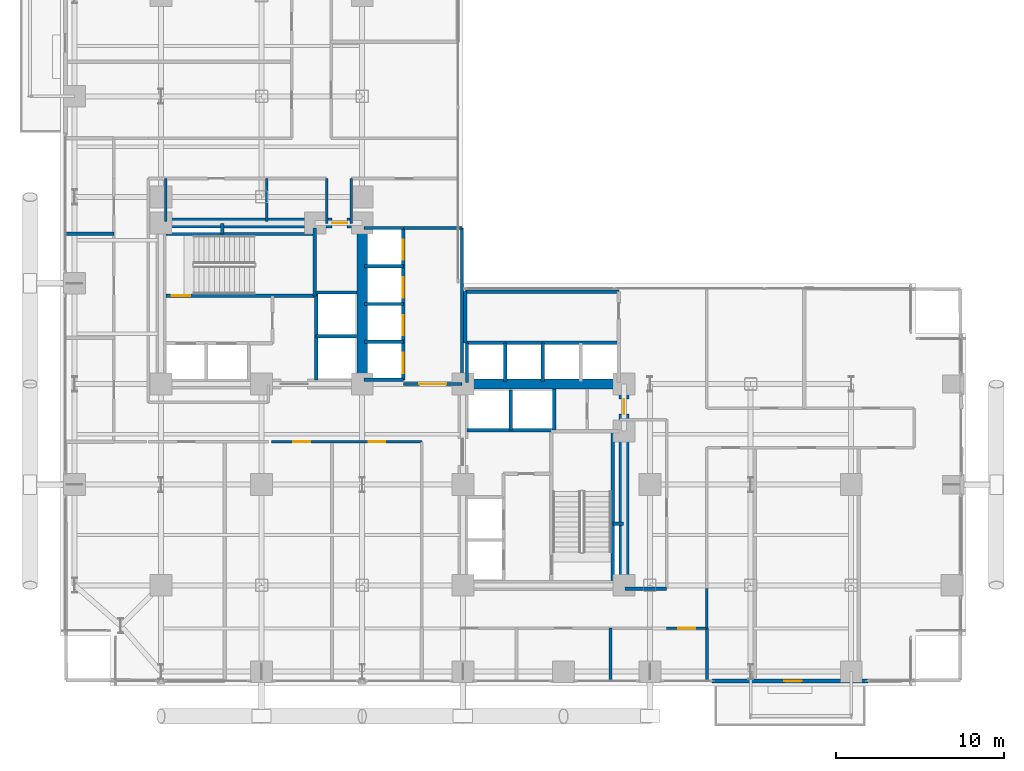
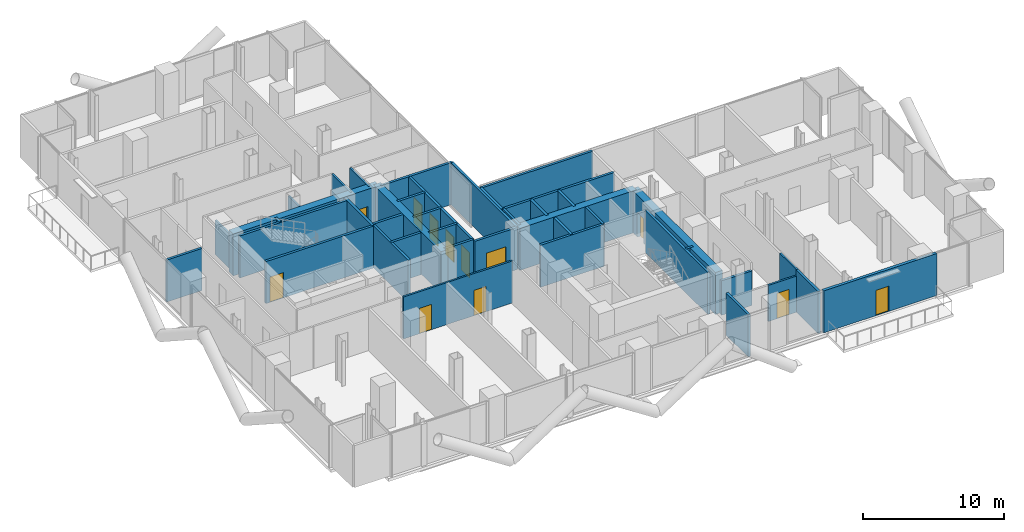
# One storey, part 22 of 27: 43 walls, 12 doors, 12 openings.
"""IFC4 building model written with IfcOpenShell, lengths in metres."""

from ifc_helpers import new_model, si_unit, direction, frame, frame_2d, origin, place, context, subcontext, project, spatial, rectangle, extrude, material, layer, layer_set, type_object, element, fill, save


model = new_model("IFC4")

# Units and contexts
model_context = context("Model", 3, precision=1e-05, world=origin(), true_north=direction((0.0, 1.0)))
body_context = subcontext(model_context, "Body", "Model", "MODEL_VIEW")
ifc_project = project(units=[si_unit("LENGTHUNIT", "METRE"), si_unit("AREAUNIT", "SQUARE_METRE"), si_unit("VOLUMEUNIT", "CUBIC_METRE"), si_unit("PLANEANGLEUNIT", "RADIAN"), si_unit("MASSUNIT", "GRAM", prefix="KILO"), si_unit("THERMODYNAMICTEMPERATUREUNIT", "KELVIN"), si_unit("POWERUNIT", "WATT")], contexts=[model_context])

# Site, building, storey
site_placement = place(None, origin())
site = spatial("IfcSite", under=ifc_project, at=site_placement, CompositionType="ELEMENT")
building_placement = place(site_placement, origin())
building = spatial("IfcBuilding", under=site, at=building_placement, Name="Svarakhadi Broadcast Tower", CompositionType="ELEMENT")
storey_placement = place(building_placement, frame((0.0, 0.0, 75.300048828125)))
storey = spatial("IfcBuildingStorey", under=building, at=storey_placement, Name="L17", CompositionType="ELEMENT", Elevation=75.300048828125)

# Walls
ifc_material_1 = material(Name="Double-Stud Acoustic Studio Partition STC-62", Category="gypsum")
ifc_layer_1 = layer(ifc_material_1, 0.199951171875)
ifc_layer_set_1 = layer_set([ifc_layer_1], Name="Double-Stud Acoustic Studio Partition STC-62")
wall_type_1 = type_object("IfcWallType", Name="Wall_Acoust_200", PredefinedType="PARTITIONING", material=ifc_layer_set_1)
wall_1_placement = place(storey_placement, frame((0.300048828125, 26.949951171875, 0.0), z_axis=(0.0, 0.0, 1.0), x_axis=(1.0, 0.0, 0.0)))
element("IfcWall", 1, at=wall_1_placement, inside=storey, type_object=wall_type_1, Name="L17 Live Translation Studio Wall", PredefinedType="PARTITIONING", context=body_context, shape_type="SweptSolid", body=[
    extrude(rectangle(XDim=2.89990234375, YDim=0.199951171875, at=frame_2d((1.449951171875, 0.0))), origin(), (0.0, 0.0, 1.0), 3.64990234375),
])
for number, where, z_axis, x_axis, name in (
    (2, (32.800048828125, 0.300048828125, 0.0), (0.0, 0.0, 1.0), (0.0, 1.0, 0.0), "L17 Media Legal Review Office Wall"),
    (3, (38.550048828125, 0.300048828125, 0.0), (0.0, 0.0, 1.0), (0.0, 1.0, 0.0), "L17 Broadcast Staff Refreshment Pantry Wall"),
):
    element("IfcWall", number, at=place(storey_placement, frame(where, z_axis=z_axis, x_axis=x_axis)), inside=storey, type_object=wall_type_1, Name=name, PredefinedType="PARTITIONING", context=body_context, shape_type="SweptSolid", body=[
        extrude(rectangle(XDim=3.14990234375, YDim=0.199951171875, at=frame_2d((1.574951171875, 0.0))), origin(), (0.0, 0.0, 1.0), 3.64990234375),
    ])
wall_2_placement = place(storey_placement, frame((33.64990234375, 5.800048828125, 0.0), z_axis=(0.0, 0.0, 1.0), x_axis=(1.0, 0.0, 0.0)))
element("IfcWall", 4, at=wall_2_placement, inside=storey, type_object=wall_type_1, Name="L17 Live Feed Monitoring Studio Wall", PredefinedType="PARTITIONING", context=body_context, shape_type="SweptSolid", body=[
    extrude(rectangle(XDim=2.5, YDim=0.199951171875, at=frame_2d((1.25, 0.0))), origin(), (0.0, 0.0, 1.0), 2.991943359375),
])

# Wall, opening, door
ifc_material_2 = material(Name="Concrete C40/50 (IS 456 M50)", Category="concrete")
ifc_layer_2 = layer(ifc_material_2, 0.239990234375)
ifc_layer_set_2 = layer_set([ifc_layer_2], Name="Concrete C40/50 (IS 456 M50)")
wall_type_2 = type_object("IfcWallType", Name="Wall_Ext_240", PredefinedType="SOLIDWALL", material=ifc_layer_set_2)
wall_3_placement = place(storey_placement, frame((48.14501953125, 0.300048828125, 0.0), z_axis=(0.0, 0.0, 1.0), x_axis=(-1.0, 0.0, 0.0)))
wall_3 = element("IfcWall", 5, at=wall_3_placement, inside=storey, type_object=wall_type_2, Name="L17 South Tree Balcony Spandrel Wall", PredefinedType="SOLIDWALL", context=body_context, shape_type="SweptSolid", body=[
    extrude(rectangle(XDim=9.2900390625, YDim=0.239990234375, at=frame_2d((4.64501953125, 0.0))), origin(), (0.0, 0.0, 1.0), 3.64990234375),
])
opening_1_placement = place(wall_3_placement, frame((3.945068359375, 0.0, 0.0)))
opening_1 = element("IfcOpeningElement", 6, at=opening_1_placement, cuts=wall_3, Name="Opening ED-05", PredefinedType="OPENING", context=body_context, shape_type="SweptSolid", body=[
    extrude(rectangle(XDim=1.050048828125, YDim=2.199951171875, at=frame_2d((0.52490234375, 1.10009765625))), frame((0.0, 0.1298828125, 0.0), z_axis=(0.0, -1.0, 0.0), x_axis=(1.0, 0.0, 0.0)), (0.0, 0.0, 1.0), 0.260009765625),
])
ifc_material_3 = material(Name="Anodised Bronze Aluminium AA 6063-T6", Category="aluminium")
door_type_1 = type_object("IfcDoorType", Name="Door_Ext_ED05", OperationType="SINGLE_SWING_LEFT", PredefinedType="DOOR", material=ifc_material_3)
door_1_placement = place(opening_1_placement, origin())
door_1 = element("IfcDoor", 7, at=door_1_placement, inside=storey, type_object=door_type_1, Name="L17 South Tree Balcony Door", OperationType="SINGLE_SWING_LEFT", OverallHeight=2.199951171875, OverallWidth=1.050048828125, PredefinedType="DOOR", context=body_context, shape_type="SweptSolid", body=[
    extrude(rectangle(XDim=1.050048828125, YDim=2.199951171875, at=frame_2d((0.52490234375, 1.10009765625))), frame((0.0, 0.02490234375, 0.0), z_axis=(0.0, -1.0, 0.0), x_axis=(1.0, 0.0, 0.0)), (0.0, 0.0, 1.0), 0.050048828125),
])
fill(opening_1, door_1)

# Walls
ifc_layer_3 = layer(ifc_material_2, 0.199951171875)
ifc_layer_set_3 = layer_set([ifc_layer_3], Name="Concrete C40/50 (IS 456 M50)")
wall_type_3 = type_object("IfcWallType", Name="Wall_Fire_200", PredefinedType="SOLIDWALL", material=ifc_layer_set_3)
for number, where, z_axis, x_axis, name in (
    (8, (9.659912109375, 26.93994140625, 0.0), (0.0, 0.0, 1.0), (0.0, 1.0, 0.0), "L17 Wet Riser Shaft East Wall"),
    (9, (32.93994140625, 9.659912109375, 0.0), (0.0, 0.0, 1.0), (1.0, 0.0, 0.0), "L17 HV Busduct Riser Shaft North Wall"),
):
    element("IfcWall", number, at=place(storey_placement, frame(where, z_axis=z_axis, x_axis=x_axis)), inside=storey, type_object=wall_type_3, Name=name, PredefinedType="SOLIDWALL", context=body_context, shape_type="SweptSolid", body=[
        extrude(rectangle(XDim=0.64013671875, YDim=0.199951171875, at=frame_2d((0.320068359375, 0.0))), origin(), (0.0, 0.0, 1.0), 3.64990234375),
    ])
ifc_material_4 = material(Name="Autoclaved Aerated Concrete Blockwork 150 mm", Category="masonry")
ifc_layer_4 = layer(ifc_material_4, 0.14990234375)
ifc_layer_set_4 = layer_set([ifc_layer_4], Name="Autoclaved Aerated Concrete Blockwork 150 mm")
wall_type_4 = type_object("IfcWallType", Name="Wall_Part_150", PredefinedType="PARTITIONING", material=ifc_layer_set_4)
wall_4_placement = place(storey_placement, frame((38.550048828125, 5.800048828125, 0.0), z_axis=(0.0, 0.0, 1.0), x_axis=(0.0, -1.0, 0.0)))
element("IfcWall", 10, at=wall_4_placement, inside=storey, type_object=wall_type_4, Name="L17 Broadcast Corridor Wall", PredefinedType="PARTITIONING", context=body_context, shape_type="SweptSolid", body=[
    extrude(rectangle(XDim=2.35009765625, YDim=0.14990234375, at=frame_2d((1.175048828125, 0.0))), origin(), (0.0, 0.0, 1.0), 3.64990234375),
])

# Wall, opening, door
wall_5_placement = place(storey_placement, frame((38.550048828125, 3.449951171875, 0.0), z_axis=(0.0, 0.0, 1.0), x_axis=(-1.0, 0.0, 0.0)))
wall_5 = element("IfcWall", 11, at=wall_5_placement, inside=storey, type_object=wall_type_4, Name="L17 Broadcast Corridor Wall", PredefinedType="PARTITIONING", context=body_context, shape_type="SweptSolid", body=[
    extrude(rectangle(XDim=2.400146484375, YDim=0.14990234375, at=frame_2d((1.2001953125, 0.0))), origin(), (0.0, 0.0, 1.0), 3.141845703125),
])
opening_2_placement = place(wall_5_placement, frame((0.699951171875, 0.0, 0.0)))
opening_2 = element("IfcOpeningElement", 12, at=opening_2_placement, cuts=wall_5, Name="Opening D-09", PredefinedType="OPENING", context=body_context, shape_type="SweptSolid", body=[
    extrude(rectangle(XDim=1.0, YDim=2.199951171875, at=frame_2d((0.5, 1.10009765625))), frame((0.0, 0.0849609375, 0.0), z_axis=(0.0, -1.0, 0.0), x_axis=(1.0, 0.0, 0.0)), (0.0, 0.0, 1.0), 0.169921875),
])
ifc_material_5 = material(Name="Solid-Core Teak Veneer Acoustic Timber Leaf", Category="wood")
door_type_2 = type_object("IfcDoorType", Name="Door_Suite_D09", OperationType="SINGLE_SWING_RIGHT", PredefinedType="DOOR", material=ifc_material_5)
door_2_placement = place(opening_2_placement, origin())
door_2 = element("IfcDoor", 13, at=door_2_placement, inside=storey, type_object=door_type_2, Name="L17 Broadcast Staff Refreshment Pantry Door", OperationType="SINGLE_SWING_RIGHT", OverallHeight=2.199951171875, OverallWidth=1.0, PredefinedType="DOOR", context=body_context, shape_type="SweptSolid", body=[
    extrude(rectangle(XDim=1.0, YDim=2.199951171875, at=frame_2d((0.5, 1.10009765625))), frame((0.0, 0.02490234375, 0.0), z_axis=(0.0, -1.0, 0.0), x_axis=(1.0, 0.0, 0.0)), (0.0, 0.0, 1.0), 0.050048828125),
])
fill(opening_2, door_2)

# Wall, openings, doors
wall_6_placement = place(storey_placement, frame((21.550048828125, 14.550048828125, 0.0), z_axis=(0.0, 0.0, 1.0), x_axis=(-1.0, 0.0, 0.0)))
wall_6 = element("IfcWall", 14, at=wall_6_placement, inside=storey, type_object=wall_type_4, Name="L17 Broadcast Corridor Wall", PredefinedType="PARTITIONING", context=body_context, shape_type="SweptSolid", body=[
    extrude(rectangle(XDim=8.949951171875, YDim=0.14990234375, at=frame_2d((4.47509765625, 0.0))), origin(), (0.0, 0.0, 1.0), 3.64990234375),
])
opening_3_placement = place(wall_6_placement, frame((6.64990234375, 0.0, 0.0)))
opening_3 = element("IfcOpeningElement", 15, at=opening_3_placement, cuts=wall_6, Name="Opening D-08", PredefinedType="OPENING", context=body_context, shape_type="SweptSolid", body=[
    extrude(rectangle(XDim=1.0, YDim=2.199951171875, at=frame_2d((0.5, 1.10009765625))), frame((0.0, 0.0849609375, 0.0), z_axis=(0.0, -1.0, 0.0), x_axis=(1.0, 0.0, 0.0)), (0.0, 0.0, 1.0), 0.169921875),
])
opening_4_placement = place(wall_6_placement, frame((2.175048828125, 0.0, 0.0)))
opening_4 = element("IfcOpeningElement", 16, at=opening_4_placement, cuts=wall_6, Name="Opening D-09", PredefinedType="OPENING", context=body_context, shape_type="SweptSolid", body=[
    extrude(rectangle(XDim=1.0, YDim=2.199951171875, at=frame_2d((0.5, 1.10009765625))), frame((0.0, 0.0849609375, 0.0), z_axis=(0.0, -1.0, 0.0), x_axis=(1.0, 0.0, 0.0)), (0.0, 0.0, 1.0), 0.169921875),
])
door_type_3 = type_object("IfcDoorType", Name="Door_Suite_D08", OperationType="SINGLE_SWING_LEFT", PredefinedType="DOOR", material=ifc_material_5)
door_3_placement = place(opening_3_placement, origin())
door_3 = element("IfcDoor", 17, at=door_3_placement, inside=storey, type_object=door_type_3, Name="L17 Central Commercial Catering Kitchen Door", OperationType="SINGLE_SWING_LEFT", OverallHeight=2.199951171875, OverallWidth=1.0, PredefinedType="DOOR", context=body_context, shape_type="SweptSolid", body=[
    extrude(rectangle(XDim=1.0, YDim=2.199951171875, at=frame_2d((0.5, 1.10009765625))), frame((0.0, 0.02490234375, 0.0), z_axis=(0.0, -1.0, 0.0), x_axis=(1.0, 0.0, 0.0)), (0.0, 0.0, 1.0), 0.050048828125),
])
fill(opening_3, door_3)
door_4_placement = place(opening_4_placement, origin())
door_4 = element("IfcDoor", 18, at=door_4_placement, inside=storey, type_object=door_type_2, Name="L17 Cold Larder Store Door", OperationType="SINGLE_SWING_RIGHT", OverallHeight=2.199951171875, OverallWidth=1.0, PredefinedType="DOOR", context=body_context, shape_type="SweptSolid", body=[
    extrude(rectangle(XDim=1.0, YDim=2.199951171875, at=frame_2d((0.5, 1.10009765625))), frame((0.0, 0.02490234375, 0.0), z_axis=(0.0, -1.0, 0.0), x_axis=(1.0, 0.0, 0.0)), (0.0, 0.0, 1.0), 0.050048828125),
])
fill(opening_4, door_4)

# Walls
for number, where, z_axis, x_axis, name in (
    (19, (17.35009765625, 30.25, 0.0), (0.0, 0.0, 1.0), (0.0, -1.0, 0.0), "L17 Broadcast Corridor Wall"),
    (20, (15.8798828125, 27.580078125, 0.0), (0.0, 0.0, 1.0), (0.0, 1.0, 0.0), "L17 Broadcast Corridor Wall"),
):
    element("IfcWall", number, at=place(storey_placement, frame(where, z_axis=z_axis, x_axis=x_axis)), inside=storey, type_object=wall_type_4, Name=name, PredefinedType="PARTITIONING", context=body_context, shape_type="SweptSolid", body=[
        extrude(rectangle(XDim=2.669921875, YDim=0.14990234375, at=frame_2d((1.3349609375, 0.0))), origin(), (0.0, 0.0, 1.0), 3.64990234375),
    ])
for number, where, z_axis, x_axis, name in (
    (21, (6.300048828125, 27.679931640625, 0.0), (0.0, 0.0, 1.0), (0.0, 1.0, 0.0), "L17 Accessible Toilet WC Wall"),
    (22, (12.300048828125, 27.679931640625, 0.0), (0.0, 0.0, 1.0), (0.0, 1.0, 0.0), "L17 Accessible Toilet WC Wall"),
):
    element("IfcWall", number, at=place(storey_placement, frame(where, z_axis=z_axis, x_axis=x_axis)), inside=storey, type_object=wall_type_4, Name=name, PredefinedType="PARTITIONING", context=body_context, shape_type="SweptSolid", body=[
        extrude(rectangle(XDim=2.570068359375, YDim=0.14990234375, at=frame_2d((1.28515625, 0.0))), origin(), (0.0, 0.0, 1.0), 2.991943359375),
    ])

# Wall, opening, door
ifc_material_6 = material(Name="Concrete C50/60 (IS 456 M60)", Category="concrete")
ifc_layer_5 = layer(ifc_material_6, 0.199951171875)
ifc_layer_set_5 = layer_set([ifc_layer_5], Name="Concrete C50/60 (IS 456 M60)")
wall_type_5 = type_object("IfcWallType", Name="Wall_Shear_200", PredefinedType="SHEAR", material=ifc_layer_set_5)
wall_7_placement = place(storey_placement, frame((6.300048828125, 23.260009765625, 0.0), z_axis=(0.0, 0.0, 1.0), x_axis=(1.0, 0.0, 0.0)))
wall_7 = element("IfcWall", 23, at=wall_7_placement, inside=storey, type_object=wall_type_5, Name="L17 Stair ST-01 South RC Shaft Wall", PredefinedType="SHEAR", context=body_context, shape_type="SweptSolid", body=[
    extrude(rectangle(XDim=8.8798828125, YDim=0.199951171875, at=frame_2d((4.43994140625, 0.0))), origin(), (0.0, 0.0, 1.0), 3.64990234375),
])
opening_5_placement = place(wall_7_placement, frame((0.35009765625, 0.0, 0.0)))
opening_5 = element("IfcOpeningElement", 24, at=opening_5_placement, cuts=wall_7, Name="Opening D-01", PredefinedType="OPENING", context=body_context, shape_type="SweptSolid", body=[
    extrude(rectangle(XDim=1.10009765625, YDim=2.199951171875, at=frame_2d((0.550048828125, 1.10009765625))), frame((0.0, 0.10986328125, 0.0), z_axis=(0.0, -1.0, 0.0), x_axis=(1.0, 0.0, 0.0)), (0.0, 0.0, 1.0), 0.219970703125),
])
ifc_material_7 = material(Name="Galvanised Powder-Coated Fire-Rated Steel Leaf", Category="steel")
door_type_4 = type_object("IfcDoorType", Name="Door_Stair_D01", OperationType="SINGLE_SWING_LEFT", PredefinedType="DOOR", material=ifc_material_7)
door_5_placement = place(opening_5_placement, origin())
door_5 = element("IfcDoor", 25, at=door_5_placement, inside=storey, type_object=door_type_4, Name="L17 Protected Exit Stair ST-01 Fire Door", OperationType="SINGLE_SWING_LEFT", OverallHeight=2.199951171875, OverallWidth=1.10009765625, PredefinedType="DOOR", context=body_context, shape_type="SweptSolid", body=[
    extrude(rectangle(XDim=1.10009765625, YDim=2.199951171875, at=frame_2d((0.550048828125, 1.10009765625))), frame((0.0, 0.02490234375, 0.0), z_axis=(0.0, -1.0, 0.0), x_axis=(1.0, 0.0, 0.0)), (0.0, 0.0, 1.0), 0.050048828125),
])
fill(opening_5, door_5)

# Walls
wall_8_placement = place(storey_placement, frame((6.300048828125, 26.93994140625, 0.0), z_axis=(0.0, 0.0, 1.0), x_axis=(1.0, 0.0, 0.0)))
element("IfcWall", 26, at=wall_8_placement, inside=storey, type_object=wall_type_5, Name="L17 Stair ST-01 North RC Shaft Wall", PredefinedType="SHEAR", context=body_context, shape_type="SweptSolid", body=[
    extrude(rectangle(XDim=8.8798828125, YDim=0.199951171875, at=frame_2d((4.43994140625, 0.0))), origin(), (0.0, 0.0, 1.0), 3.64990234375),
])
wall_9_placement = place(storey_placement, frame((15.179931640625, 23.260009765625, 0.0), z_axis=(0.0, 0.0, 1.0), x_axis=(0.0, 1.0, 0.0)))
element("IfcWall", 27, at=wall_9_placement, inside=storey, type_object=wall_type_5, Name="L17 Stair ST-01 East RC Shaft Wall", PredefinedType="SHEAR", context=body_context, shape_type="SweptSolid", body=[
    extrude(rectangle(XDim=4.0400390625, YDim=0.199951171875, at=frame_2d((2.02001953125, 0.0))), origin(), (0.0, 0.0, 1.0), 3.64990234375),
])
wall_10_placement = place(storey_placement, frame((32.93994140625, 6.300048828125, 0.0), z_axis=(0.0, 0.0, 1.0), x_axis=(0.0, 1.0, 0.0)))
element("IfcWall", 28, at=wall_10_placement, inside=storey, type_object=wall_type_5, Name="L17 Stair ST-02 East RC Shaft Wall", PredefinedType="SHEAR", context=body_context, shape_type="SweptSolid", body=[
    extrude(rectangle(XDim=8.8798828125, YDim=0.199951171875, at=frame_2d((4.43994140625, 0.0))), origin(), (0.0, 0.0, 1.0), 3.64990234375),
])
wall_11_placement = place(storey_placement, frame((15.25, 18.25, 0.0), z_axis=(0.0, 0.0, 1.0), x_axis=(0.0, 1.0, 0.0)))
element("IfcWall", 29, at=wall_11_placement, inside=storey, type_object=wall_type_5, Name="L17 High-Rise Lift LF-13/14 West Shaft Wall", PredefinedType="SHEAR", context=body_context, shape_type="SweptSolid", body=[
    extrude(rectangle(XDim=5.199951171875, YDim=0.199951171875, at=frame_2d((2.60009765625, 0.0))), origin(), (0.0, 0.0, 1.0), 3.64990234375),
])
wall_12_placement = place(storey_placement, frame((15.25, 20.85009765625, 0.0), z_axis=(0.0, 0.0, 1.0), x_axis=(1.0, 0.0, 0.0)))
element("IfcWall", 30, at=wall_12_placement, inside=storey, type_object=wall_type_5, Name="L17 High-Rise Lift LF-13/14 Divider", PredefinedType="SHEAR", context=body_context, shape_type="SweptSolid", body=[
    extrude(rectangle(XDim=2.39990234375, YDim=0.199951171875, at=frame_2d((1.199951171875, 0.0))), origin(), (0.0, 0.0, 1.0), 3.64990234375),
])
wall_13_placement = place(storey_placement, frame((15.25, 23.449951171875, 0.0), z_axis=(0.0, 0.0, 1.0), x_axis=(1.0, 0.0, 0.0)))
element("IfcWall", 31, at=wall_13_placement, inside=storey, type_object=wall_type_5, Name="L17 High-Rise Lift LF-13/14 North Wall", PredefinedType="SHEAR", context=body_context, shape_type="SweptSolid", body=[
    extrude(rectangle(XDim=2.449951171875, YDim=0.199951171875, at=frame_2d((1.22509765625, 0.0))), origin(), (0.0, 0.0, 1.0), 3.64990234375),
])
wall_14_placement = place(storey_placement, frame((24.25, 15.25, 0.0), z_axis=(0.0, 0.0, 1.0), x_axis=(1.0, 0.0, 0.0)))
element("IfcWall", 32, at=wall_14_placement, inside=storey, type_object=wall_type_5, Name="L17 High-Rise Lift LF-15/16 South Shaft Wall", PredefinedType="SHEAR", context=body_context, shape_type="SweptSolid", body=[
    extrude(rectangle(XDim=5.199951171875, YDim=0.199951171875, at=frame_2d((2.60009765625, 0.0))), origin(), (0.0, 0.0, 1.0), 3.64990234375),
])
wall_15_placement = place(storey_placement, frame((26.85009765625, 15.25, 0.0), z_axis=(0.0, 0.0, 1.0), x_axis=(0.0, 1.0, 0.0)))
element("IfcWall", 33, at=wall_15_placement, inside=storey, type_object=wall_type_5, Name="L17 High-Rise Lift LF-15/16 Divider", PredefinedType="SHEAR", context=body_context, shape_type="SweptSolid", body=[
    extrude(rectangle(XDim=2.39990234375, YDim=0.199951171875, at=frame_2d((1.199951171875, 0.0))), origin(), (0.0, 0.0, 1.0), 3.64990234375),
])
wall_16_placement = place(storey_placement, frame((29.449951171875, 15.25, 0.0), z_axis=(0.0, 0.0, 1.0), x_axis=(0.0, 1.0, 0.0)))
element("IfcWall", 34, at=wall_16_placement, inside=storey, type_object=wall_type_5, Name="L17 High-Rise Lift LF-15/16 East Wall", PredefinedType="SHEAR", context=body_context, shape_type="SweptSolid", body=[
    extrude(rectangle(XDim=2.449951171875, YDim=0.199951171875, at=frame_2d((1.22509765625, 0.0))), origin(), (0.0, 0.0, 1.0), 3.64990234375),
])
for number, where, z_axis, x_axis, name in (
    (35, (18.10009765625, 27.300048828125, 0.0), (0.0, 0.0, 1.0), (1.0, 0.0, 0.0), "L17 Bank A North Shaft Wall"),
    (36, (18.10009765625, 18.25, 0.0), (0.0, 0.0, 1.0), (1.0, 0.0, 0.0), "L17 Bank A South Shaft Wall"),
):
    element("IfcWall", number, at=place(storey_placement, frame(where, z_axis=z_axis, x_axis=x_axis)), inside=storey, type_object=wall_type_5, Name=name, PredefinedType="SHEAR", context=body_context, shape_type="SweptSolid", body=[
        extrude(rectangle(XDim=2.349853515625, YDim=0.199951171875, at=frame_2d((1.1748046875, 0.0))), origin(), (0.0, 0.0, 1.0), 3.64990234375),
    ])

# Wall, openings, doors
wall_17_placement = place(storey_placement, frame((20.449951171875, 18.25, 0.0), z_axis=(0.0, 0.0, 1.0), x_axis=(0.0, 1.0, 0.0)))
wall_17 = element("IfcWall", 37, at=wall_17_placement, inside=storey, type_object=wall_type_5, Name="L17 Bank A East Landing Wall", PredefinedType="SHEAR", context=body_context, shape_type="SweptSolid", body=[
    extrude(rectangle(XDim=9.050048828125, YDim=0.199951171875, at=frame_2d((4.52490234375, 0.0))), origin(), (0.0, 0.0, 1.0), 3.64990234375),
])
opening_6_placement = place(wall_17_placement, frame((0.39990234375, 0.0, 0.0)))
opening_6 = element("IfcOpeningElement", 38, at=opening_6_placement, cuts=wall_17, Name="Opening LD-02", PredefinedType="OPENING", context=body_context, shape_type="SweptSolid", body=[
    extrude(rectangle(XDim=1.199951171875, YDim=2.199951171875, at=frame_2d((0.60009765625, 1.10009765625))), frame((0.0, 0.10986328125, 0.0), z_axis=(0.0, -1.0, 0.0), x_axis=(1.0, 0.0, 0.0)), (0.0, 0.0, 1.0), 0.219970703125),
])
opening_7_placement = place(wall_17_placement, frame((2.64990234375, 0.0, 0.0)))
opening_7 = element("IfcOpeningElement", 39, at=opening_7_placement, cuts=wall_17, Name="Opening LD-02", PredefinedType="OPENING", context=body_context, shape_type="SweptSolid", body=[
    extrude(rectangle(XDim=1.199951171875, YDim=2.199951171875, at=frame_2d((0.60009765625, 1.10009765625))), frame((0.0, 0.10986328125, 0.0), z_axis=(0.0, -1.0, 0.0), x_axis=(1.0, 0.0, 0.0)), (0.0, 0.0, 1.0), 0.219970703125),
])
opening_8_placement = place(wall_17_placement, frame((4.89990234375, 0.0, 0.0)))
opening_8 = element("IfcOpeningElement", 40, at=opening_8_placement, cuts=wall_17, Name="Opening LD-02", PredefinedType="OPENING", context=body_context, shape_type="SweptSolid", body=[
    extrude(rectangle(XDim=1.199951171875, YDim=2.199951171875, at=frame_2d((0.60009765625, 1.10009765625))), frame((0.0, 0.10986328125, 0.0), z_axis=(0.0, -1.0, 0.0), x_axis=(1.0, 0.0, 0.0)), (0.0, 0.0, 1.0), 0.219970703125),
])
opening_9_placement = place(wall_17_placement, frame((7.14990234375, 0.0, 0.0)))
opening_9 = element("IfcOpeningElement", 41, at=opening_9_placement, cuts=wall_17, Name="Opening LD-02", PredefinedType="OPENING", context=body_context, shape_type="SweptSolid", body=[
    extrude(rectangle(XDim=1.199951171875, YDim=2.199951171875, at=frame_2d((0.60009765625, 1.10009765625))), frame((0.0, 0.10986328125, 0.0), z_axis=(0.0, -1.0, 0.0), x_axis=(1.0, 0.0, 0.0)), (0.0, 0.0, 1.0), 0.219970703125),
])
door_type_5 = type_object("IfcDoorType", Name="Door_Lift_LD02", OperationType="SLIDING_TO_RIGHT", PredefinedType="DOOR", material=ifc_material_7)
door_6_placement = place(opening_6_placement, origin())
door_6 = element("IfcDoor", 42, at=door_6_placement, inside=storey, type_object=door_type_5, Name="L17 Low-Rise Lift LF-05 Landing Door", OperationType="SLIDING_TO_RIGHT", OverallHeight=2.199951171875, OverallWidth=1.199951171875, PredefinedType="DOOR", context=body_context, shape_type="SweptSolid", body=[
    extrude(rectangle(XDim=1.199951171875, YDim=2.199951171875, at=frame_2d((0.60009765625, 1.10009765625))), frame((0.0, 0.02490234375, 0.0), z_axis=(0.0, -1.0, 0.0), x_axis=(1.0, 0.0, 0.0)), (0.0, 0.0, 1.0), 0.050048828125),
])
fill(opening_6, door_6)
door_7_placement = place(opening_7_placement, origin())
door_7 = element("IfcDoor", 43, at=door_7_placement, inside=storey, type_object=door_type_5, Name="L17 Low-Rise Lift LF-06 Landing Door", OperationType="SLIDING_TO_RIGHT", OverallHeight=2.199951171875, OverallWidth=1.199951171875, PredefinedType="DOOR", context=body_context, shape_type="SweptSolid", body=[
    extrude(rectangle(XDim=1.199951171875, YDim=2.199951171875, at=frame_2d((0.60009765625, 1.10009765625))), frame((0.0, 0.02490234375, 0.0), z_axis=(0.0, -1.0, 0.0), x_axis=(1.0, 0.0, 0.0)), (0.0, 0.0, 1.0), 0.050048828125),
])
fill(opening_7, door_7)
door_8_placement = place(opening_8_placement, origin())
door_8 = element("IfcDoor", 44, at=door_8_placement, inside=storey, type_object=door_type_5, Name="L17 Low-Rise Lift LF-07 Landing Door", OperationType="SLIDING_TO_RIGHT", OverallHeight=2.199951171875, OverallWidth=1.199951171875, PredefinedType="DOOR", context=body_context, shape_type="SweptSolid", body=[
    extrude(rectangle(XDim=1.199951171875, YDim=2.199951171875, at=frame_2d((0.60009765625, 1.10009765625))), frame((0.0, 0.02490234375, 0.0), z_axis=(0.0, -1.0, 0.0), x_axis=(1.0, 0.0, 0.0)), (0.0, 0.0, 1.0), 0.050048828125),
])
fill(opening_8, door_8)
door_9_placement = place(opening_9_placement, origin())
door_9 = element("IfcDoor", 45, at=door_9_placement, inside=storey, type_object=door_type_5, Name="L17 Low-Rise Lift LF-08 Landing Door", OperationType="SLIDING_TO_RIGHT", OverallHeight=2.199951171875, OverallWidth=1.199951171875, PredefinedType="DOOR", context=body_context, shape_type="SweptSolid", body=[
    extrude(rectangle(XDim=1.199951171875, YDim=2.199951171875, at=frame_2d((0.60009765625, 1.10009765625))), frame((0.0, 0.02490234375, 0.0), z_axis=(0.0, -1.0, 0.0), x_axis=(1.0, 0.0, 0.0)), (0.0, 0.0, 1.0), 0.050048828125),
])
fill(opening_9, door_9)

# Walls
for number, where, z_axis, x_axis, name in (
    (46, (18.14990234375, 20.52001953125, 0.0), (0.0, 0.0, 1.0), (1.0, 0.0, 0.0), "L17 Bank A Divider"),
    (47, (18.14990234375, 22.77001953125, 0.0), (0.0, 0.0, 1.0), (1.0, 0.0, 0.0), "L17 Bank A Divider"),
    (48, (18.14990234375, 25.02001953125, 0.0), (0.0, 0.0, 1.0), (1.0, 0.0, 0.0), "L17 Bank A Divider"),
):
    element("IfcWall", number, at=place(storey_placement, frame(where, z_axis=z_axis, x_axis=x_axis)), inside=storey, type_object=wall_type_5, Name=name, PredefinedType="SHEAR", context=body_context, shape_type="SweptSolid", body=[
        extrude(rectangle(XDim=2.300048828125, YDim=0.199951171875, at=frame_2d((1.14990234375, 0.0))), origin(), (0.0, 0.0, 1.0), 3.64990234375),
    ])

# Wall, opening, door
wall_18_placement = place(storey_placement, frame((20.449951171875, 18.0, 0.0), z_axis=(0.0, 0.0, 1.0), x_axis=(1.0, 0.0, 0.0)))
wall_18 = element("IfcWall", 49, at=wall_18_placement, inside=storey, type_object=wall_type_5, Name="L17 Bank A Lift Hall South Wall", PredefinedType="SHEAR", context=body_context, shape_type="SweptSolid", body=[
    extrude(rectangle(XDim=3.5, YDim=0.199951171875, at=frame_2d((1.75, 0.0))), origin(), (0.0, 0.0, 1.0), 3.64990234375),
])
opening_10_placement = place(wall_18_placement, frame((0.949951171875, 0.0, 0.0)))
opening_10 = element("IfcOpeningElement", 50, at=opening_10_placement, cuts=wall_18, Name="Opening D-05", PredefinedType="OPENING", context=body_context, shape_type="SweptSolid", body=[
    extrude(rectangle(XDim=1.60009765625, YDim=2.300048828125, at=frame_2d((0.800048828125, 1.14990234375))), frame((0.0, 0.10986328125, 0.0), z_axis=(0.0, -1.0, 0.0), x_axis=(1.0, 0.0, 0.0)), (0.0, 0.0, 1.0), 0.219970703125),
])
door_type_6 = type_object("IfcDoorType", Name="Door_Lobby_D05", OperationType="DOUBLE_DOOR_SLIDING", PredefinedType="DOOR", material=ifc_material_3)
door_10_placement = place(opening_10_placement, origin())
door_10 = element("IfcDoor", 51, at=door_10_placement, inside=storey, type_object=door_type_6, Name="L17 Low-Rise Lift Hall Corridor Door", OperationType="DOUBLE_DOOR_SLIDING", OverallHeight=2.300048828125, OverallWidth=1.60009765625, PredefinedType="DOOR", context=body_context, shape_type="SweptSolid", body=[
    extrude(rectangle(XDim=1.60009765625, YDim=2.300048828125, at=frame_2d((0.800048828125, 1.14990234375))), frame((0.0, 0.02490234375, 0.0), z_axis=(0.0, -1.0, 0.0), x_axis=(1.0, 0.0, 0.0)), (0.0, 0.0, 1.0), 0.050048828125),
])
fill(opening_10, door_10)

# Walls
wall_19_placement = place(storey_placement, frame((20.449951171875, 27.300048828125, 0.0), z_axis=(0.0, 0.0, 1.0), x_axis=(1.0, 0.0, 0.0)))
element("IfcWall", 52, at=wall_19_placement, inside=storey, type_object=wall_type_5, Name="L17 Bank A Lift Hall North Wall", PredefinedType="SHEAR", context=body_context, shape_type="SweptSolid", body=[
    extrude(rectangle(XDim=3.5, YDim=0.199951171875, at=frame_2d((1.75, 0.0))), origin(), (0.0, 0.0, 1.0), 3.64990234375),
])
wall_20_placement = place(storey_placement, frame((23.949951171875, 18.0, 0.0), z_axis=(0.0, 0.0, 1.0), x_axis=(0.0, 1.0, 0.0)))
element("IfcWall", 53, at=wall_20_placement, inside=storey, type_object=wall_type_5, Name="L17 Bank A Lift Hall East Wall", PredefinedType="SHEAR", context=body_context, shape_type="SweptSolid", body=[
    extrude(rectangle(XDim=9.300048828125, YDim=0.199951171875, at=frame_2d((4.64990234375, 0.0))), origin(), (0.0, 0.0, 1.0), 3.64990234375),
])
wall_21_placement = place(storey_placement, frame((24.25, 18.10009765625, 0.0), z_axis=(0.0, 0.0, 1.0), x_axis=(0.0, 1.0, 0.0)))
element("IfcWall", 54, at=wall_21_placement, inside=storey, type_object=wall_type_5, Name="L17 Bank B West Shaft Wall", PredefinedType="SHEAR", context=body_context, shape_type="SweptSolid", body=[
    extrude(rectangle(XDim=2.349853515625, YDim=0.199951171875, at=frame_2d((1.1748046875, 0.0))), origin(), (0.0, 0.0, 1.0), 3.64990234375),
])
wall_22_placement = place(storey_placement, frame((24.25, 20.449951171875, 0.0), z_axis=(0.0, 0.0, 1.0), x_axis=(1.0, 0.0, 0.0)))
element("IfcWall", 55, at=wall_22_placement, inside=storey, type_object=wall_type_5, Name="L17 Bank B North Landing Wall", PredefinedType="SHEAR", context=body_context, shape_type="SweptSolid", body=[
    extrude(rectangle(XDim=9.050048828125, YDim=0.199951171875, at=frame_2d((4.52490234375, 0.0))), origin(), (0.0, 0.0, 1.0), 3.64990234375),
])
for number, where, z_axis, x_axis, name in (
    (56, (26.52001953125, 18.14990234375, 0.0), (0.0, 0.0, 1.0), (0.0, 1.0, 0.0), "L17 Bank B Divider"),
    (57, (28.77001953125, 18.14990234375, 0.0), (0.0, 0.0, 1.0), (0.0, 1.0, 0.0), "L17 Bank B Divider"),
):
    element("IfcWall", number, at=place(storey_placement, frame(where, z_axis=z_axis, x_axis=x_axis)), inside=storey, type_object=wall_type_5, Name=name, PredefinedType="SHEAR", context=body_context, shape_type="SweptSolid", body=[
        extrude(rectangle(XDim=2.300048828125, YDim=0.199951171875, at=frame_2d((1.14990234375, 0.0))), origin(), (0.0, 0.0, 1.0), 3.64990234375),
    ])
wall_23_placement = place(storey_placement, frame((24.14990234375, 23.5, 0.0), z_axis=(0.0, 0.0, 1.0), x_axis=(1.0, 0.0, 0.0)))
element("IfcWall", 58, at=wall_23_placement, inside=storey, type_object=wall_type_5, Name="L17 Bank B Lift Hall North Wall", PredefinedType="SHEAR", context=body_context, shape_type="SweptSolid", body=[
    extrude(rectangle(XDim=9.150146484375, YDim=0.199951171875, at=frame_2d((4.5751953125, 0.0))), origin(), (0.0, 0.0, 1.0), 3.64990234375),
])
wall_24_placement = place(storey_placement, frame((24.14990234375, 20.449951171875, 0.0), z_axis=(0.0, 0.0, 1.0), x_axis=(0.0, 1.0, 0.0)))
element("IfcWall", 59, at=wall_24_placement, inside=storey, type_object=wall_type_5, Name="L17 Bank B Lift Hall West Wall", PredefinedType="SHEAR", context=body_context, shape_type="SweptSolid", body=[
    extrude(rectangle(XDim=3.050048828125, YDim=0.199951171875, at=frame_2d((1.52490234375, 0.0))), origin(), (0.0, 0.0, 1.0), 3.64990234375),
])

# Wall, opening, door
ifc_material_8 = material(Name="Concrete C60/75 (IS 456 M70)", Category="concrete")
ifc_layer_6 = layer(ifc_material_8, 0.60009765625)
ifc_layer_set_6 = layer_set([ifc_layer_6], Name="Concrete C60/75 (IS 456 M70)")
wall_type_6 = type_object("IfcWallType", Name="Wall_Shear_600", PredefinedType="SHEAR", material=ifc_layer_set_6)
wall_25_placement = place(storey_placement, frame((6.0, 27.60009765625, 0.0), z_axis=(0.0, 0.0, 1.0), x_axis=(1.0, 0.0, 0.0)))
wall_25 = element("IfcWall", 60, at=wall_25_placement, inside=storey, type_object=wall_type_6, Name="L17 West Core North Shear Wall", PredefinedType="SHEAR", context=body_context, shape_type="SweptSolid", body=[
    extrude(rectangle(XDim=12.0, YDim=0.60009765625, at=frame_2d((6.0, 0.0))), origin(), (0.0, 0.0, 1.0), 3.64990234375),
])
opening_11_placement = place(wall_25_placement, frame((10.199951171875, 0.0, 0.0)))
opening_11 = element("IfcOpeningElement", 61, at=opening_11_placement, cuts=wall_25, Name="Opening D-04", PredefinedType="OPENING", context=body_context, shape_type="SweptSolid", body=[
    extrude(rectangle(XDim=0.89990234375, YDim=2.14990234375, at=frame_2d((0.449951171875, 1.074951171875))), frame((0.0, 0.31005859375, 0.0), z_axis=(0.0, -1.0, 0.0), x_axis=(1.0, 0.0, 0.0)), (0.0, 0.0, 1.0), 0.6201171875),
])
door_type_7 = type_object("IfcDoorType", Name="Door_Fire_D04", OperationType="SINGLE_SWING_RIGHT", PredefinedType="DOOR", material=ifc_material_7)
door_11_placement = place(opening_11_placement, origin())
door_11 = element("IfcDoor", 62, at=door_11_placement, inside=storey, type_object=door_type_7, Name="L17 Core Meter Cupboard Door", OperationType="SINGLE_SWING_RIGHT", OverallHeight=2.14990234375, OverallWidth=0.89990234375, PredefinedType="DOOR", context=body_context, shape_type="SweptSolid", body=[
    extrude(rectangle(XDim=0.89990234375, YDim=2.14990234375, at=frame_2d((0.449951171875, 1.074951171875))), frame((0.0, 0.02490234375, 0.0), z_axis=(0.0, -1.0, 0.0), x_axis=(1.0, 0.0, 0.0)), (0.0, 0.0, 1.0), 0.050048828125),
])
fill(opening_11, door_11)

# Walls
for number, where, z_axis, x_axis, name in (
    (63, (18.0, 18.0, 0.0), (0.0, 0.0, 1.0), (0.0, 1.0, 0.0), "L17 West Core East Shear Wall"),
    (64, (24.0, 18.0, 0.0), (0.0, 0.0, 1.0), (1.0, 0.0, 0.0), "L17 East Core North Shear Wall"),
):
    element("IfcWall", number, at=place(storey_placement, frame(where, z_axis=z_axis, x_axis=x_axis)), inside=storey, type_object=wall_type_6, Name=name, PredefinedType="SHEAR", context=body_context, shape_type="SweptSolid", body=[
        extrude(rectangle(XDim=9.60009765625, YDim=0.60009765625, at=frame_2d((4.800048828125, 0.0))), origin(), (0.0, 0.0, 1.0), 3.64990234375),
    ])

# Wall, opening, door
wall_26_placement = place(storey_placement, frame((33.60009765625, 6.0, 0.0), z_axis=(0.0, 0.0, 1.0), x_axis=(0.0, 1.0, 0.0)))
wall_26 = element("IfcWall", 65, at=wall_26_placement, inside=storey, type_object=wall_type_6, Name="L17 East Core East Shear Wall", PredefinedType="SHEAR", context=body_context, shape_type="SweptSolid", body=[
    extrude(rectangle(XDim=12.0, YDim=0.60009765625, at=frame_2d((6.0, 0.0))), origin(), (0.0, 0.0, 1.0), 3.64990234375),
])
opening_12_placement = place(wall_26_placement, frame((10.199951171875, 0.0, 0.0)))
opening_12 = element("IfcOpeningElement", 66, at=opening_12_placement, cuts=wall_26, Name="Opening D-04", PredefinedType="OPENING", context=body_context, shape_type="SweptSolid", body=[
    extrude(rectangle(XDim=0.89990234375, YDim=2.14990234375, at=frame_2d((0.449951171875, 1.074951171875))), frame((0.0, 0.31005859375, 0.0), z_axis=(0.0, -1.0, 0.0), x_axis=(1.0, 0.0, 0.0)), (0.0, 0.0, 1.0), 0.6201171875),
])
door_12_placement = place(opening_12_placement, origin())
door_12 = element("IfcDoor", 67, at=door_12_placement, inside=storey, type_object=door_type_7, Name="L17 Core Outer Service Store Door", OperationType="SINGLE_SWING_RIGHT", OverallHeight=2.14990234375, OverallWidth=0.89990234375, PredefinedType="DOOR", context=body_context, shape_type="SweptSolid", body=[
    extrude(rectangle(XDim=0.89990234375, YDim=2.14990234375, at=frame_2d((0.449951171875, 1.074951171875))), frame((0.0, 0.02490234375, 0.0), z_axis=(0.0, -1.0, 0.0), x_axis=(1.0, 0.0, 0.0)), (0.0, 0.0, 1.0), 0.050048828125),
])
fill(opening_12, door_12)

save(model, "model.ifc")
